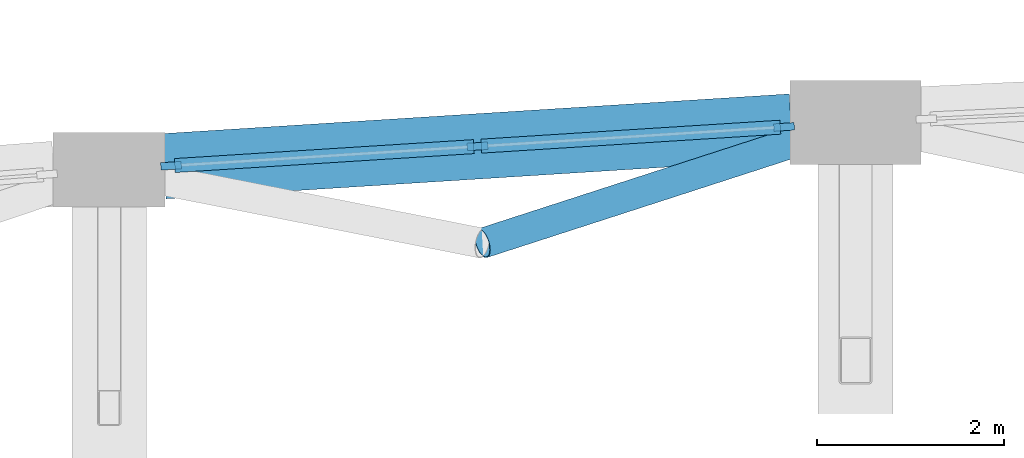
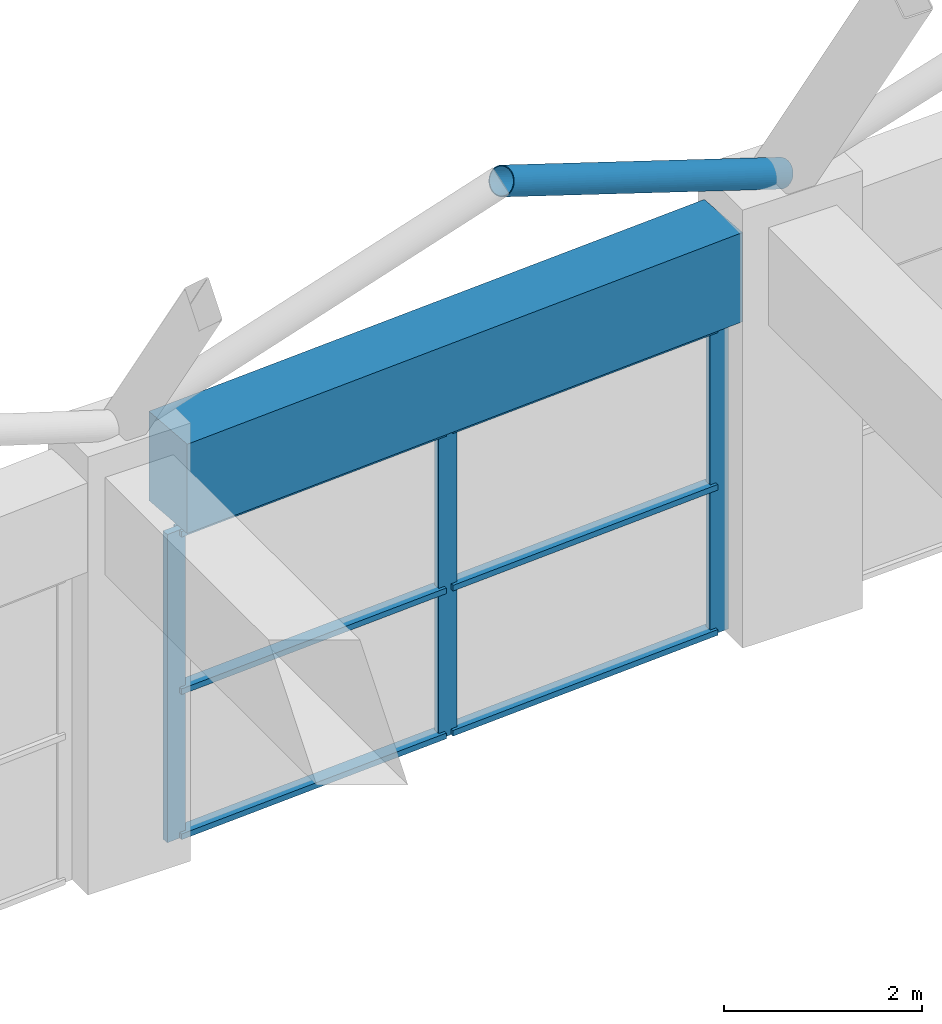
# One storey, part 23 of 69: 10 members, 1 beam, 1 element without a shape of its own.
"""IFC4 building model written with IfcOpenShell, lengths in metres."""

from ifc_helpers import new_model, si_unit, direction, frame, origin, origin_2d, place, context, subcontext, project, spatial, rectangle, hollow_circle, extrude, material, material_profile, profile_set, type_object, element, aggregate, save


model = new_model("IFC4")

# Units and contexts
model_context = context("Model", 3, precision=1e-05, world=origin(), true_north=direction((0.0, 1.0)))
body_context = subcontext(model_context, "Body", "Model", "MODEL_VIEW")
ifc_project = project(units=[si_unit("LENGTHUNIT", "METRE"), si_unit("AREAUNIT", "SQUARE_METRE"), si_unit("VOLUMEUNIT", "CUBIC_METRE"), si_unit("PLANEANGLEUNIT", "RADIAN"), si_unit("MASSUNIT", "GRAM", prefix="KILO")], contexts=[model_context])

# Site, building, storey
site_placement = place(None, origin())
site = spatial("IfcSite", under=ifc_project, at=site_placement, CompositionType="ELEMENT")
building_placement = place(site_placement, origin())
building = spatial("IfcBuilding", under=site, at=building_placement, Name="Kenh Van Central Station", CompositionType="ELEMENT")
storey_placement = place(building_placement, frame((0.0, 0.0, 5.39990234375)))
storey = spatial("IfcBuildingStorey", under=building, at=storey_placement, Name="L01", CompositionType="ELEMENT", Elevation=5.39990234375)

# Beam
ifc_material_1 = material(Name="Concrete C40/50", Category="concrete")
ifc_material_profile_1 = material_profile(ifc_material_1, rectangle(XDim=0.699951171875, YDim=1.10009765625, at=origin_2d()), Name="RC 700x1100")
ifc_profile_set_1 = profile_set([ifc_material_profile_1], Name="Concrete C40/50")
beam_type = type_object("IfcBeamType", Name="BM-RC-700x1100", PredefinedType="BEAM", material=ifc_profile_set_1)
beam_placement = place(storey_placement, frame((56.5888671875, 114.032470703125, 4.530029296875), z_axis=(0.99800019098, 0.06321090732, 0.0), x_axis=(-0.06321090732, 0.99800019098, 0.0)))
element("IfcBeam", 1, at=beam_placement, inside=storey, type_object=beam_type, Name="L01 viaduct girder 1425", PredefinedType="BEAM", context=body_context, shape_type="SweptSolid", body=[
    extrude(rectangle(XDim=0.699951171875, YDim=1.10009765625, at=origin_2d()), origin(), (0.0, 0.0, 1.0), 6.73583984375),
])

# Curtain wall, members
ifc_material_2 = material(Name="Champagne anodised aluminium", Category="aluminium")
curtain_wall_type = type_object("IfcCurtainWallType", Name="CW-HALL-B", PredefinedType="NOTDEFINED", material=ifc_material_2)
curtain_wall_placement = place(storey_placement, origin())
curtain_wall = element("IfcCurtainWall", 2, at=curtain_wall_placement, inside=storey, type_object=curtain_wall_type, Name="L01 curtain wall 082", PredefinedType="NOTDEFINED")
ifc_material_profile_2 = material_profile(ifc_material_2, rectangle(XDim=0.080078125, YDim=0.219970703125, at=origin_2d()), Name="AL 80x220")
ifc_profile_set_2 = profile_set([ifc_material_profile_2], Name="Champagne anodised aluminium")
member_type_1 = type_object("IfcMemberType", Name="CWM-80x220", PredefinedType="MULLION", material=ifc_profile_set_2)
member_1_placement = place(storey_placement, frame((63.234375, 114.453369140625, 0.0), z_axis=(0.0, 0.0, 1.0), x_axis=(0.063211477724, -0.998000154852, 0.0)))
member_1 = element("IfcMember", 3, at=member_1_placement, type_object=member_type_1, Name="CW-02 mullion 1", PredefinedType="MULLION", context=body_context, shape_type="SweptSolid", body=[
    extrude(rectangle(XDim=0.080078125, YDim=0.219970703125, at=origin_2d()), origin(), (0.0, 0.0, 1.0), 3.800048828125),
])
member_2_placement = place(storey_placement, frame((59.948486328125, 114.245361328125, 0.0), z_axis=(0.0, 0.0, 1.0), x_axis=(0.063211477724, -0.998000154852, 0.0)))
member_2 = element("IfcMember", 4, at=member_2_placement, type_object=member_type_1, Name="CW-02 mullion 2", PredefinedType="MULLION", context=body_context, shape_type="SweptSolid", body=[
    extrude(rectangle(XDim=0.080078125, YDim=0.219970703125, at=origin_2d()), origin(), (0.0, 0.0, 1.0), 3.800048828125),
])
member_3_placement = place(storey_placement, frame((56.662841796875, 114.037109375, 0.0), z_axis=(0.0, 0.0, 1.0), x_axis=(0.063211477724, -0.998000154852, 0.0)))
member_3 = element("IfcMember", 5, at=member_3_placement, type_object=member_type_1, Name="CW-02 mullion 3", PredefinedType="MULLION", context=body_context, shape_type="SweptSolid", body=[
    extrude(rectangle(XDim=0.080078125, YDim=0.219970703125, at=origin_2d()), origin(), (0.0, 0.0, 1.0), 3.800048828125),
])
ifc_material_profile_3 = material_profile(ifc_material_2, rectangle(XDim=0.14990234375, YDim=0.070068359375, at=origin_2d()), Name="AL 150x70")
ifc_profile_set_3 = profile_set([ifc_material_profile_3], Name="Champagne anodised aluminium")
member_type_2 = type_object("IfcMemberType", Name="CWT-150x70", PredefinedType="USERDEFINED", material=ifc_profile_set_3)
member_4_placement = place(storey_placement, frame((63.194580078125, 114.450927734375, 0.03515625), z_axis=(-0.997998987314, -0.063229908426, 0.0), x_axis=(0.063229908426, -0.997998987314, 0.0)))
member_4 = element("IfcMember", 6, at=member_4_placement, type_object=member_type_2, Name="CW-02 transom 1.1", ObjectType="TRANSOM", PredefinedType="USERDEFINED", context=body_context, shape_type="SweptSolid", body=[
    extrude(rectangle(XDim=0.14990234375, YDim=0.070068359375, at=origin_2d()), origin(), (0.0, 0.0, 1.0), 3.21240234375),
])
member_5_placement = place(storey_placement, frame((63.194580078125, 114.450927734375, 1.82421875), z_axis=(-0.997998987314, -0.063229908426, 0.0), x_axis=(0.063229908426, -0.997998987314, 0.0)))
member_5 = element("IfcMember", 7, at=member_5_placement, type_object=member_type_2, Name="CW-02 transom 1.2", ObjectType="TRANSOM", PredefinedType="USERDEFINED", context=body_context, shape_type="SweptSolid", body=[
    extrude(rectangle(XDim=0.14990234375, YDim=0.070068359375, at=origin_2d()), origin(), (0.0, 0.0, 1.0), 3.21240234375),
])
member_6_placement = place(storey_placement, frame((63.194580078125, 114.450927734375, 3.76513671875), z_axis=(-0.997998987314, -0.063229908426, 0.0), x_axis=(0.063229908426, -0.997998987314, 0.0)))
member_6 = element("IfcMember", 8, at=member_6_placement, type_object=member_type_2, Name="CW-02 transom 1.3", ObjectType="TRANSOM", PredefinedType="USERDEFINED", context=body_context, shape_type="SweptSolid", body=[
    extrude(rectangle(XDim=0.14990234375, YDim=0.070068359375, at=origin_2d()), origin(), (0.0, 0.0, 1.0), 3.21240234375),
])
member_7_placement = place(storey_placement, frame((59.90869140625, 114.24267578125, 0.03515625), z_axis=(-0.997998987314, -0.063229908426, 0.0), x_axis=(0.063229908426, -0.997998987314, 0.0)))
member_7 = element("IfcMember", 9, at=member_7_placement, type_object=member_type_2, Name="CW-02 transom 2.1", ObjectType="TRANSOM", PredefinedType="USERDEFINED", context=body_context, shape_type="SweptSolid", body=[
    extrude(rectangle(XDim=0.14990234375, YDim=0.070068359375, at=origin_2d()), origin(), (0.0, 0.0, 1.0), 3.21240234375),
])
member_8_placement = place(storey_placement, frame((59.90869140625, 114.24267578125, 1.82421875), z_axis=(-0.997998987314, -0.063229908426, 0.0), x_axis=(0.063229908426, -0.997998987314, 0.0)))
member_8 = element("IfcMember", 10, at=member_8_placement, type_object=member_type_2, Name="CW-02 transom 2.2", ObjectType="TRANSOM", PredefinedType="USERDEFINED", context=body_context, shape_type="SweptSolid", body=[
    extrude(rectangle(XDim=0.14990234375, YDim=0.070068359375, at=origin_2d()), origin(), (0.0, 0.0, 1.0), 3.21240234375),
])
member_9_placement = place(storey_placement, frame((59.90869140625, 114.24267578125, 3.76513671875), z_axis=(-0.997998987314, -0.063229908426, 0.0), x_axis=(0.063229908426, -0.997998987314, 0.0)))
member_9 = element("IfcMember", 11, at=member_9_placement, type_object=member_type_2, Name="CW-02 transom 2.3", ObjectType="TRANSOM", PredefinedType="USERDEFINED", context=body_context, shape_type="SweptSolid", body=[
    extrude(rectangle(XDim=0.14990234375, YDim=0.070068359375, at=origin_2d()), origin(), (0.0, 0.0, 1.0), 3.21240234375),
])
aggregate(curtain_wall, [member_1, member_2, member_3, member_4, member_5, member_6, member_7, member_8, member_9])

# Member
ifc_material_3 = material(Name="White fluoropolymer structural steel S355", Category="steel")
ifc_material_profile_4 = material_profile(ifc_material_3, hollow_circle(Radius=0.161865234375, WallThickness=0.010009765625, at=origin_2d()), Name="CHS 323.9x10")
ifc_profile_set_4 = profile_set([ifc_material_profile_4], Name="White fluoropolymer structural steel S355")
member_type_3 = type_object("IfcMemberType", Name="MEM-VAULT-CHD324", PredefinedType="CHORD", material=ifc_profile_set_4)
member_10_placement = place(storey_placement, frame((60.0, 113.20703125, 7.4287109375), z_axis=(0.8520447107, 0.275832833591, -0.444900054934), x_axis=(-0.307993438887, 0.951388480907, 0.0)))
element("IfcMember", 12, at=member_10_placement, inside=storey, type_object=member_type_3, Name="Vault diamond grid member 0191", PredefinedType="CHORD", context=body_context, shape_type="SweptSolid", body=[
    extrude(hollow_circle(Radius=0.161865234375, WallThickness=0.010009765625, at=origin_2d()), origin(), (0.0, 0.0, 1.0), 4.694580078125),
])

save(model, "model.ifc")
